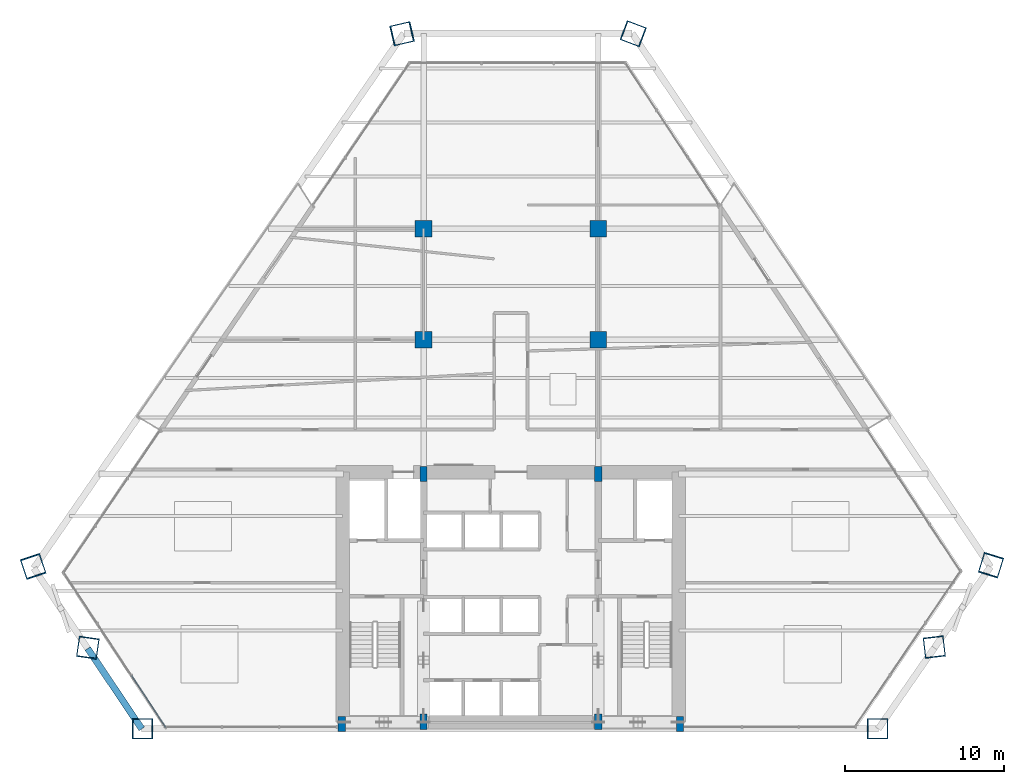
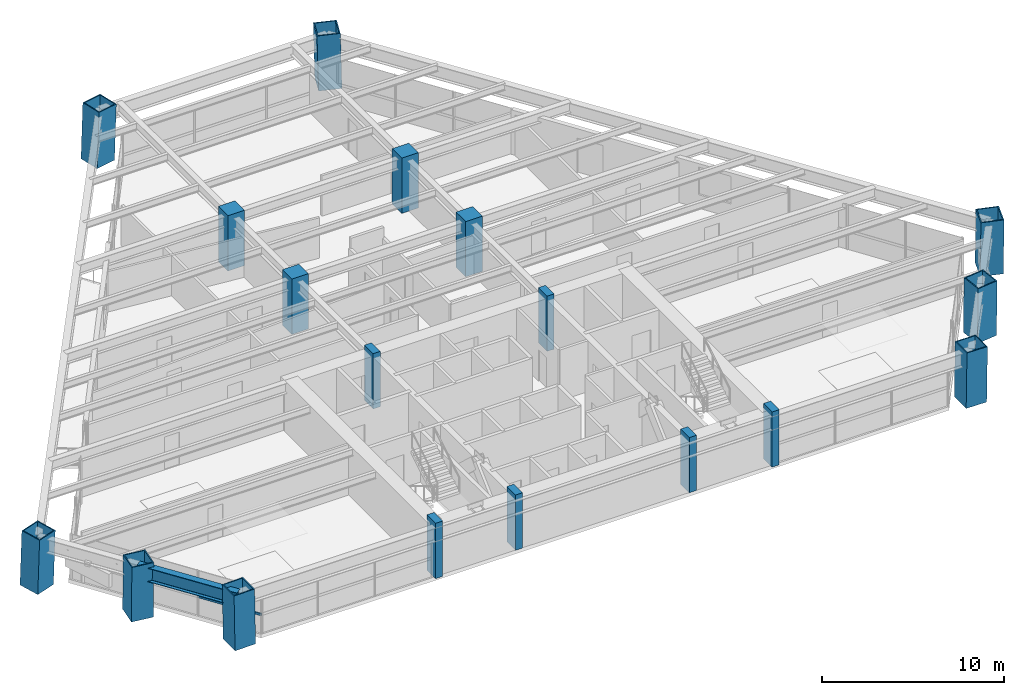
# One storey, part 1 of 14: 18 columns, 1 beam, 1 member, 1 element without a shape of its own.
"""IFC4 building model written with IfcOpenShell, lengths in metres."""

import ifcopenshell
import ifcopenshell.guid

model = None  # the IFC model being written
_history = None  # IfcOwnerHistory: only IFC2X3 demands one
_inside = {}  # id of a spatial element -> (the spatial element, [elements in it])
_under = {}  # id of a project, library or spatial element -> (it, [spatial elements below it])
_declared = {}  # id of a project -> (the project, [libraries it declares])
_typed = {}  # id of a type object -> (the type object, [elements of that type])
_made_of = {}  # id of a material, layer set ... -> (it, [elements and type objects made of it])


def new_model(schema):
    """Start an empty IFC model of exactly this schema.

    Asked for "IFC4X3", IfcOpenShell would pick the latest addendum, in which some entities
    have other attributes; the version numbers below select the first issue.
    IFC2X3 requires an IfcOwnerHistory on every rooted entity: one is made here for all.
    """
    global model, _history
    if schema == "IFC4X3":
        model = ifcopenshell.file(schema_version=(4, 3, 0, 0))
    else:
        model = ifcopenshell.file(schema=schema)
    _inside.clear()
    _under.clear()
    _declared.clear()
    _typed.clear()
    _made_of.clear()
    _history = None
    if model.schema == "IFC2X3":
        org = make("IfcOrganization", Name="unknown")
        user = make(
            "IfcPersonAndOrganization",
            ThePerson=make("IfcPerson", FamilyName="unknown"),
            TheOrganization=org,
        )
        app = make(
            "IfcApplication",
            ApplicationDeveloper=org,
            Version="unknown",
            ApplicationFullName="unknown",
            ApplicationIdentifier="unknown",
        )
        _history = make(
            "IfcOwnerHistory",
            OwningUser=user,
            OwningApplication=app,
            ChangeAction="ADDED",
            CreationDate=0,
        )
    return model


def make(cls, **values):
    """One entity of the class cls with the attributes given. An attribute that is None is left unset."""
    return model.create_entity(
        cls, **{name: value for name, value in values.items() if value is not None}
    )


def rooted(cls, **values):
    """An entity with a GlobalId (a new one), such as an element, a storey or a relation."""
    return make(cls, GlobalId=ifcopenshell.guid.new(), OwnerHistory=_history, **values)


def si_unit(unit_type, name, prefix=None):
    """IfcSIUnit, for example si_unit("LENGTHUNIT", "METRE", prefix="MILLI")."""
    return make("IfcSIUnit", UnitType=unit_type, Prefix=prefix, Name=name)


def assignment(units):
    """IfcUnitAssignment: the units of a project."""
    return None if units is None else make("IfcUnitAssignment", Units=units)


def point(xyz):
    """IfcCartesianPoint."""
    return None if xyz is None else make("IfcCartesianPoint", Coordinates=xyz)


def direction(xyz):
    """IfcDirection."""
    return None if xyz is None else make("IfcDirection", DirectionRatios=xyz)


def frame(location, z_axis=None, x_axis=None):
    """IfcAxis2Placement3D, a coordinate frame: its origin and axes. An axis left out is left unset."""
    return make(
        "IfcAxis2Placement3D",
        Location=point(location),
        Axis=direction(z_axis),
        RefDirection=direction(x_axis),
    )


def frame_2d(location, x_axis=None):
    """IfcAxis2Placement2D, a coordinate frame in the plane: its origin and x axis."""
    return make(
        "IfcAxis2Placement2D", Location=point(location), RefDirection=direction(x_axis)
    )


def origin():
    """The frame at (0, 0, 0) with its axes left unset."""
    return frame((0.0, 0.0, 0.0))


def origin_2d():
    """The frame at (0, 0) in the plane with its x axis left unset."""
    return frame_2d((0.0, 0.0))


def place(relative_to, where):
    """IfcLocalPlacement: puts the frame where relative to a parent placement (None: the world)."""
    return make(
        "IfcLocalPlacement", PlacementRelTo=relative_to, RelativePlacement=where
    )


def context(
    kind, dimensions, precision=None, world=None, true_north=None, identifier=None
):
    """IfcGeometricRepresentationContext, for example the 3D "Model" context."""
    return make(
        "IfcGeometricRepresentationContext",
        ContextIdentifier=identifier,
        ContextType=kind,
        CoordinateSpaceDimension=dimensions,
        Precision=precision,
        WorldCoordinateSystem=world,
        TrueNorth=true_north,
    )


def subcontext(parent, identifier, kind, view, scale=None):
    """IfcGeometricRepresentationSubContext, for example "Body" below "Model"."""
    return make(
        "IfcGeometricRepresentationSubContext",
        ContextIdentifier=identifier,
        ContextType=kind,
        ParentContext=parent,
        TargetScale=scale,
        TargetView=view,
    )


def project(units=None, contexts=None):
    """IfcProject with its units and contexts."""
    return rooted(
        "IfcProject",
        Name="project",
        RepresentationContexts=contexts,
        UnitsInContext=assignment(units),
    )


def spatial(cls, under=None, at=None, **own):
    """A site, building, storey or space (cls), placed at a placement, below another one or the project."""
    s = rooted(cls, ObjectPlacement=at, **own)
    if under is not None:
        _under.setdefault(under.id(), (under, []))[1].append(s)
    return s


def profile(cls, at=None, kind="AREA", **sizes):
    """A parametric profile (cls). Its sizes go by their IFC names, for example OverallWidth=200.0."""
    return make(cls, ProfileType=kind, Position=at, **sizes)


def rectangle(**sizes):
    """IfcRectangleProfileDef."""
    return profile("IfcRectangleProfileDef", **sizes)


def hollow_rectangle(**sizes):
    """IfcRectangleHollowProfileDef."""
    return profile("IfcRectangleHollowProfileDef", **sizes)


def i_section(**sizes):
    """IfcIShapeProfileDef."""
    return profile("IfcIShapeProfileDef", **sizes)


def extrude(swept, where, along, depth):
    """IfcExtrudedAreaSolid: the profile swept, set in the frame where, extruded along a direction by depth."""
    return make(
        "IfcExtrudedAreaSolid",
        SweptArea=swept,
        Position=where,
        ExtrudedDirection=direction(along),
        Depth=depth,
    )


def shape(context_of_items, identifier, shape_type, items):
    """IfcShapeRepresentation: the items that make up one representation, for example the "Body"."""
    return make(
        "IfcShapeRepresentation",
        ContextOfItems=context_of_items,
        RepresentationIdentifier=identifier,
        RepresentationType=shape_type,
        Items=items,
    )


def source(mapping_origin, context_of_items, identifier, shape_type, items):
    """IfcRepresentationMap: a shape defined once, which mapped items show again and again."""
    return make(
        "IfcRepresentationMap",
        MappingOrigin=mapping_origin,
        MappedRepresentation=shape(context_of_items, identifier, shape_type, items),
    )


def transform(
    local_origin,
    x_axis=None,
    y_axis=None,
    z_axis=None,
    scale=None,
    scale2=None,
    scale3=None,
    uniform=True,
):
    """IfcCartesianTransformationOperator3D, or its non-uniform kind. x_axis, y_axis, z_axis: its Axis1, 2, 3."""
    if uniform:
        return make(
            "IfcCartesianTransformationOperator3D",
            Axis1=direction(x_axis),
            Axis2=direction(y_axis),
            LocalOrigin=point(local_origin),
            Scale=scale,
            Axis3=direction(z_axis),
        )
    return make(
        "IfcCartesianTransformationOperator3DnonUniform",
        Axis1=direction(x_axis),
        Axis2=direction(y_axis),
        LocalOrigin=point(local_origin),
        Scale=scale,
        Axis3=direction(z_axis),
        Scale2=scale2,
        Scale3=scale3,
    )


def mapped(mapping_source, mapping_target):
    """IfcMappedItem: shows the shape of a source again, moved by a transform."""
    return make(
        "IfcMappedItem", MappingSource=mapping_source, MappingTarget=mapping_target
    )


def material(Name=None, Category=None):
    """IfcMaterial."""
    return make("IfcMaterial", Name=Name, Category=Category)


def material_profile(
    of_material, cross_section, Name=None, Category=None, Priority=None
):
    """IfcMaterialProfile: a cross section and its material."""
    return make(
        "IfcMaterialProfile",
        Name=Name,
        Material=of_material,
        Profile=cross_section,
        Priority=Priority,
        Category=Category,
    )


def profile_set(profiles, Name=None, composite=None):
    """IfcMaterialProfileSet."""
    return make(
        "IfcMaterialProfileSet",
        Name=Name,
        MaterialProfiles=profiles,
        CompositeProfile=composite,
    )


def made_of(thing, what):
    """Note that an element or type object is made of a material, layer set ...; save() writes the relation."""
    if what is not None:
        _made_of.setdefault(what.id(), (what, []))[1].append(thing)
    return thing


def type_object(cls, material=None, **own):
    """A type object (cls), such as IfcWallType, which elements share."""
    return made_of(rooted(cls, **own), material)


def element(
    cls,
    number,
    at=None,
    inside=None,
    cuts=None,
    type_object=None,
    material=None,
    context=None,
    identifier="Body",
    shape_type=None,
    held_by="IfcProductDefinitionShape",
    body=None,
    shapes=None,
    **own,
):
    """One element of the class cls, such as IfcWall. Its Tag is "e" and its number.

    at: its placement. inside: the storey or other place that contains it. cuts: it is an
    opening in that element (IfcRelVoidsElement). A single representation is given by context,
    identifier, shape_type and body (its items); several are given by shapes. held_by: the class
    of the entity that holds the representations. save() writes the other relations.
    """
    e = rooted(cls, Tag="e%d" % number, ObjectPlacement=at, **own)
    if body is not None:
        shapes = [shape(context, identifier, shape_type, body)]
    if shapes is not None:
        e.Representation = make(held_by, Representations=shapes)
    if inside is not None:
        _inside.setdefault(inside.id(), (inside, []))[1].append(e)
    if cuts is not None:
        rooted(
            "IfcRelVoidsElement", RelatingBuildingElement=cuts, RelatedOpeningElement=e
        )
    if type_object is not None:
        _typed.setdefault(type_object.id(), (type_object, []))[1].append(e)
    return made_of(e, material)


def aggregate(whole, parts):
    """IfcRelAggregates: a whole, such as a stair, and the parts it consists of."""
    return rooted("IfcRelAggregates", RelatingObject=whole, RelatedObjects=parts)


def save(model, path):
    """Write the relations noted so far, then the file.

    IfcRelAggregates (storeys below a building ...), IfcRelContainedInSpatialStructure (elements
    in a storey), IfcRelDefinesByType, IfcRelAssociatesMaterial and IfcRelDeclares: one each for
    every whole, place, type object, material and project.
    """
    for whole, parts in _under.values():
        aggregate(whole, parts)
    for where, things in _inside.values():
        rooted(
            "IfcRelContainedInSpatialStructure",
            RelatedElements=things,
            RelatingStructure=where,
        )
    for kind, things in _typed.values():
        rooted("IfcRelDefinesByType", RelatedObjects=things, RelatingType=kind)
    for what, things in _made_of.values():
        rooted("IfcRelAssociatesMaterial", RelatedObjects=things, RelatingMaterial=what)
    for by, libraries in _declared.values():
        rooted("IfcRelDeclares", RelatingContext=by, RelatedDefinitions=libraries)
    model.write(path)


model = new_model("IFC4")

# Units and contexts
model_context = context("Model", 3, precision=1e-05, world=origin(), true_north=direction((0.0, 1.0)))
body_context = subcontext(model_context, "Body", "Model", "MODEL_VIEW")
ifc_project = project(units=[si_unit("LENGTHUNIT", "METRE"), si_unit("AREAUNIT", "SQUARE_METRE"), si_unit("VOLUMEUNIT", "CUBIC_METRE"), si_unit("PLANEANGLEUNIT", "RADIAN"), si_unit("MASSUNIT", "GRAM", prefix="KILO")], contexts=[model_context])

# Site, building, storey
site_placement = place(None, origin())
site = spatial("IfcSite", under=ifc_project, at=site_placement, CompositionType="ELEMENT")
building_placement = place(site_placement, origin())
building = spatial("IfcBuilding", under=site, at=building_placement, Name="Varnakhor Terracotta Tower", CompositionType="ELEMENT")
storey_placement = place(building_placement, frame((0.0, 0.0, 68.199951171875)))
storey = spatial("IfcBuildingStorey", under=building, at=storey_placement, Name="L16", CompositionType="ELEMENT", Elevation=68.199951171875)

# Columns
ifc_material_1 = material(Name="Concrete C50/60", Category="concrete")
ifc_material_profile_1 = material_profile(ifc_material_1, rectangle(XDim=0.449951171875, YDim=0.949951171875, at=origin_2d()), Name="RC PILASTER 950x450")
ifc_profile_set_1 = profile_set([ifc_material_profile_1], Name="Concrete C50/60")
column_type_1 = type_object("IfcColumnType", Name="COL-PIL-950x450", PredefinedType="PILASTER", material=ifc_profile_set_1)
shared_shape_1 = source(origin(), body_context, "Body", "SweptSolid", [
    extrude(rectangle(XDim=0.449951171875, YDim=0.949951171875, at=origin_2d()), origin(), (0.0, 0.0, 1.0), 3.699951171875),
])
for number, where, z_axis, x_axis, name in (
    (1, (-10.64990234375, 0.300048828125, 0.0), (0.0, 0.0, 1.0), (1.0, 0.0, 0.0), "L16 Core Pilaster CP1"),
    (2, (-5.5, 0.449951171875, 0.0), (0.0, 0.0, 1.0), (1.0, 0.0, 0.0), "L16 Core Pilaster CP2"),
    (3, (5.5, 0.449951171875, 0.0), (0.0, 0.0, 1.0), (1.0, 0.0, 0.0), "L16 Core Pilaster CP3"),
    (4, (10.64990234375, 0.300048828125, 0.0), (0.0, 0.0, 1.0), (1.0, 0.0, 0.0), "L16 Core Pilaster CP4"),
    (5, (-5.5, 16.050048828125, 0.0), (0.0, 0.0, 1.0), (1.0, 0.0, 0.0), "L16 Core Pilaster CP5"),
    (6, (5.5, 16.050048828125, 0.0), (0.0, 0.0, 1.0), (1.0, 0.0, 0.0), "L16 Core Pilaster CP6"),
):
    element("IfcColumn", number, at=place(storey_placement, frame(where, z_axis=z_axis, x_axis=x_axis)), inside=storey, type_object=column_type_1, Name=name, PredefinedType="PILASTER", context=body_context, shape_type="MappedRepresentation", body=[
        mapped(shared_shape_1, transform((0.0, 0.0, 0.0), scale=1.0)),
    ])
ifc_material_2 = material(Name="Steel S460", Category="steel")
ifc_material_profile_2 = material_profile(ifc_material_2, hollow_rectangle(XDim=1.300048828125, YDim=1.300048828125, WallThickness=0.06494140625, at=origin_2d()), Name="BOX 1300x1300x65")
ifc_profile_set_2 = profile_set([ifc_material_profile_2], Name="Steel S460")
column_type_2 = type_object("IfcColumnType", Name="COL-MEGA-1300", PredefinedType="COLUMN", material=ifc_profile_set_2)
shared_shape_2 = source(origin(), body_context, "Body", "SweptSolid", [
    extrude(hollow_rectangle(XDim=1.300048828125, YDim=1.300048828125, WallThickness=0.06494140625, at=origin_2d()), origin(), (0.0, 0.0, 1.0), 3.691650390625),
])
for number, where, z_axis, x_axis, name in (
    (7, (-23.1875, 0.0, 0.00439453125), (-0.016467110099, 0.0, 0.99986440795), (0.0, -1.0, 0.0), "L16 Perimeter Mega-Column M1"),
    (8, (26.660888671875, 5.16552734375, 0.00439453125), (0.001917856829, -0.016334849548, 0.99986473811), (0.993178023772, 0.116607946111, 0.0), "L16 Perimeter Mega-Column M3"),
    (9, (-26.639892578125, 5.12744140625, 0.00439453125), (-0.00251301138, -0.017260420266, 0.999847869761), (0.989566791648, -0.144074858554, 0.0), "L16 Perimeter Mega-Column M8"),
):
    element("IfcColumn", number, at=place(storey_placement, frame(where, z_axis=z_axis, x_axis=x_axis)), inside=storey, type_object=column_type_2, Name=name, PredefinedType="COLUMN", context=body_context, shape_type="MappedRepresentation", body=[
        mapped(shared_shape_2, transform((0.0, 0.0, 0.0), scale=1.0)),
    ])
shared_shape_3 = source(origin(), body_context, "Body", "SweptSolid", [
    extrude(hollow_rectangle(XDim=1.300048828125, YDim=1.300048828125, WallThickness=0.06494140625, at=origin_2d()), origin(), (0.0, 0.0, 1.0), 3.693359375),
])
column_1_placement = place(storey_placement, frame((30.23828125, 10.3310546875, 0.00439453125), z_axis=(-0.010179876491, -0.032721031577, 0.999412679631), x_axis=(0.954856776331, -0.297066552636, 0.0)))
element("IfcColumn", 10, at=column_1_placement, inside=storey, type_object=column_type_2, Name="L16 Perimeter Mega-Column M4", PredefinedType="COLUMN", context=body_context, shape_type="MappedRepresentation", body=[
    mapped(shared_shape_3, transform((0.0, 0.0, 0.0), scale=1.0)),
])
ifc_material_3 = material(Name="Concrete C60/75", Category="concrete")
ifc_material_profile_3 = material_profile(ifc_material_3, rectangle(XDim=1.050048828125, YDim=1.050048828125, at=origin_2d()), Name="RC 1050x1050")
ifc_profile_set_3 = profile_set([ifc_material_profile_3], Name="Concrete C60/75")
column_type_3 = type_object("IfcColumnType", Name="COL-RC-1050", PredefinedType="COLUMN", material=ifc_profile_set_3)
shared_shape_4 = source(origin(), body_context, "Body", "SweptSolid", [
    extrude(rectangle(XDim=1.050048828125, YDim=1.050048828125, at=origin_2d()), origin(), (0.0, 0.0, 1.0), 3.699951171875),
])
for number, where, z_axis, x_axis, name in (
    (11, (-5.5, 24.5, 0.0), (0.0, 0.0, 1.0), (1.0, 0.0, 0.0), "L16 Interior Tower Column IC1"),
    (12, (5.5, 24.5, 0.0), (0.0, 0.0, 1.0), (1.0, 0.0, 0.0), "L16 Interior Tower Column IC2"),
    (13, (-5.5, 31.5, 0.0), (0.0, 0.0, 1.0), (1.0, 0.0, 0.0), "L16 Interior Tower Column IC3"),
    (14, (5.5, 31.5, 0.0), (0.0, 0.0, 1.0), (1.0, 0.0, 0.0), "L16 Interior Tower Column IC4"),
):
    element("IfcColumn", number, at=place(storey_placement, frame(where, z_axis=z_axis, x_axis=x_axis)), inside=storey, type_object=column_type_3, Name=name, PredefinedType="COLUMN", context=body_context, shape_type="MappedRepresentation", body=[
        mapped(shared_shape_4, transform((0.0, 0.0, 0.0), scale=1.0)),
    ])
shared_shape_5 = source(origin(), body_context, "Body", "SweptSolid", [
    extrude(hollow_rectangle(XDim=1.300048828125, YDim=1.300048828125, WallThickness=0.06494140625, at=origin_2d()), origin(), (0.0, 0.0, 1.0), 3.692138671875),
])
column_2_placement = place(storey_placement, frame((7.718505859375, 43.77490234375, 0.00439453125), z_axis=(-0.021953069836, 0.008331586745, 0.999724285684), x_axis=(-0.354824011733, -0.93493311028, 0.0)))
element("IfcColumn", 15, at=column_2_placement, inside=storey, type_object=column_type_2, Name="L16 Perimeter Mega-Column M5", PredefinedType="COLUMN", context=body_context, shape_type="MappedRepresentation", body=[
    mapped(shared_shape_5, transform((0.0, 0.0, 0.0), scale=1.0)),
])
shared_shape_6 = source(origin(), body_context, "Body", "SweptSolid", [
    extrude(hollow_rectangle(XDim=1.300048828125, YDim=1.300048828125, WallThickness=0.06494140625, at=origin_2d()), origin(), (0.0, 0.0, 1.0), 3.693603515625),
])
for number, where, z_axis, x_axis, name in (
    (16, (-6.876953125, 43.77490234375, 0.00439453125), (0.036022710936, 0.008328186381, 0.99931626906), (-0.225251177309, 0.97430072725, 0.0), "L16 Perimeter Mega-Column M6"),
    (17, (-30.092529296875, 10.2548828125, 0.00439453125), (0.011567146544, -0.03456924367, 0.999335363386), (0.94832002795, 0.317315496924, 0.0), "L16 Perimeter Mega-Column M7"),
):
    element("IfcColumn", number, at=place(storey_placement, frame(where, z_axis=z_axis, x_axis=x_axis)), inside=storey, type_object=column_type_2, Name=name, PredefinedType="COLUMN", context=body_context, shape_type="MappedRepresentation", body=[
        mapped(shared_shape_6, transform((0.0, 0.0, 0.0), scale=1.0)),
    ])
shared_shape_7 = source(origin(), body_context, "Body", "SweptSolid", [
    extrude(hollow_rectangle(XDim=1.300048828125, YDim=1.300048828125, WallThickness=0.06494140625, at=origin_2d()), origin(), (0.0, 0.0, 1.0), 3.69140625),
])
column_3_placement = place(storey_placement, frame((23.083251953125, 0.0, 0.00439453125), z_axis=(0.014020713106, 0.0, 0.999901704971), x_axis=(0.0, 1.0, 0.0)))
element("IfcColumn", 18, at=column_3_placement, inside=storey, type_object=column_type_2, Name="L16 Perimeter Mega-Column M2", PredefinedType="COLUMN", context=body_context, shape_type="MappedRepresentation", body=[
    mapped(shared_shape_7, transform((0.0, 0.0, 0.0), scale=1.0)),
])

# Beam
ifc_material_4 = material(Name="Steel S355", Category="steel")
ifc_material_profile_4 = material_profile(ifc_material_4, i_section(OverallWidth=0.41796875, OverallDepth=0.927001953125, WebThickness=0.01904296875, FlangeThickness=0.031982421875, FilletRadius=0.01806640625, at=origin_2d()), Name="W36X231")
ifc_profile_set_4 = profile_set([ifc_material_profile_4], Name="Steel S355")
beam_type = type_object("IfcBeamType", Name="BM-W36X231", PredefinedType="BEAM", material=ifc_profile_set_4)
shared_shape_8 = source(origin(), body_context, "Body", "SweptSolid", [
    extrude(i_section(OverallWidth=0.41796875, OverallDepth=0.927001953125, WebThickness=0.01904296875, FlangeThickness=0.031982421875, FilletRadius=0.01806640625, at=origin_2d()), origin(), (0.0, 0.0, 1.0), 6.099853515625),
])
beam_placement = place(storey_placement, frame((-26.649169921875, 5.063720703125, 2.9365234375), z_axis=(0.557541774829, -0.830148883828, 0.0), x_axis=(0.830148883828, 0.557541774829, 0.0)))
element("IfcBeam", 19, at=beam_placement, inside=storey, type_object=beam_type, Name="L16 Perimeter Spandrel 8", PredefinedType="BEAM", context=body_context, shape_type="MappedRepresentation", body=[
    mapped(shared_shape_8, transform((0.0, 0.0, 0.0), scale=1.0)),
])

# Curtain wall, member
ifc_material_5 = material(Name="Anodised Aluminium Curtain Wall System", Category="aluminium")
curtain_wall_type = type_object("IfcCurtainWallType", Name="CW-SYS-LOW-OFFICE", PredefinedType="NOTDEFINED", material=ifc_material_5)
curtain_wall_placement = place(storey_placement, origin())
curtain_wall = element("IfcCurtainWall", 20, at=curtain_wall_placement, inside=storey, type_object=curtain_wall_type, Name="L16 Facet Curtain Wall 6", PredefinedType="NOTDEFINED")
ifc_material_6 = material(Name="Anodised Aluminium 6063-T6", Category="aluminium")
ifc_material_profile_5 = material_profile(ifc_material_6, rectangle(XDim=0.074951171875, YDim=0.1650390625, at=origin_2d()), Name="ALU TRANSOM 75x165")
ifc_profile_set_5 = profile_set([ifc_material_profile_5], Name="Anodised Aluminium 6063-T6")
member_type = type_object("IfcMemberType", Name="CWT-02", PredefinedType="USERDEFINED", material=ifc_profile_set_5)
shared_shape_9 = source(origin(), body_context, "Body", "SweptSolid", [
    extrude(rectangle(XDim=0.074951171875, YDim=0.1650390625, at=origin_2d()), origin(), (0.0, 0.0, 1.0), 3.912109375),
])
member_placement = place(storey_placement, frame((-21.732177734375, 0.091064453125, 1.251708984375), z_axis=(-0.550285676295, 0.834976451443, 0.0), x_axis=(-0.834976451443, -0.550285676295, 0.0)))
member = element("IfcMember", 21, at=member_placement, type_object=member_type, Name="L16 Facet Curtain Wall 6 Transom 1", ObjectType="TRANSOM", PredefinedType="USERDEFINED", context=body_context, shape_type="MappedRepresentation", body=[
    mapped(shared_shape_9, transform((0.0, 0.0, 0.0), scale=1.0)),
])
aggregate(curtain_wall, [member])

save(model, "model.ifc")
